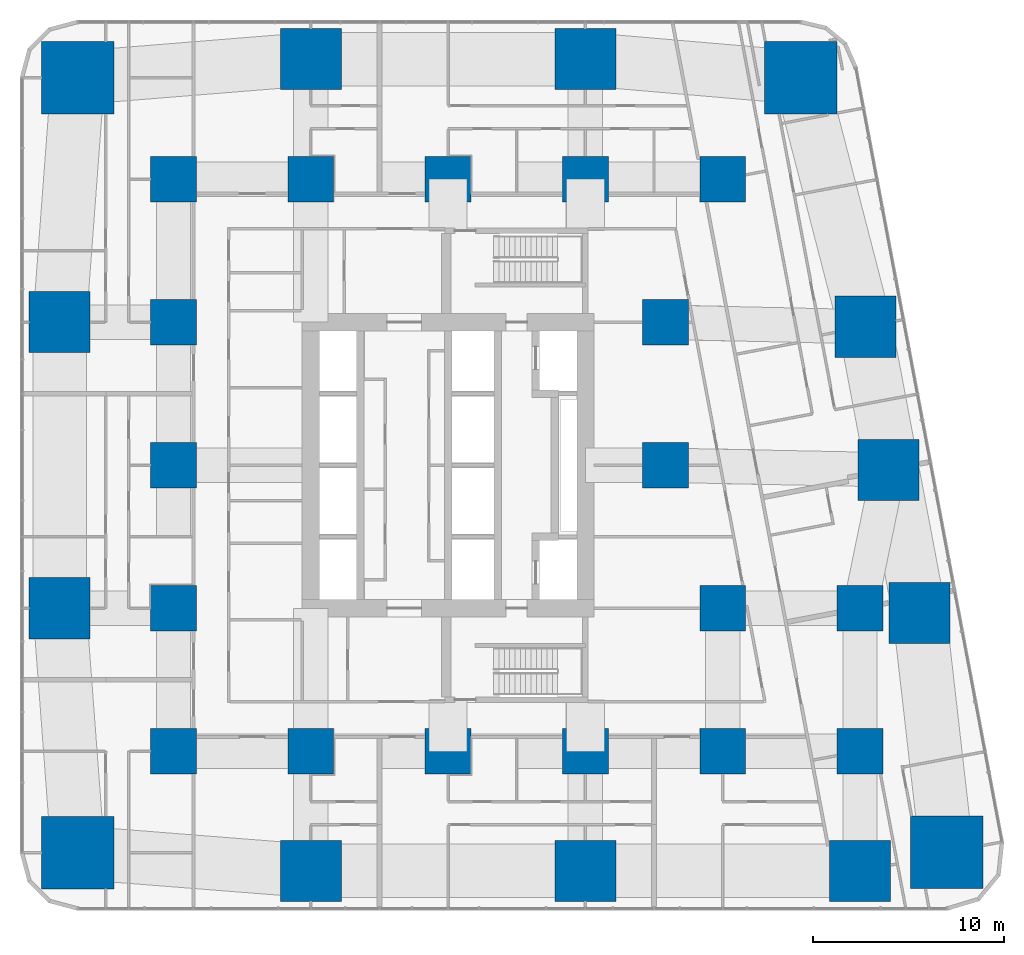
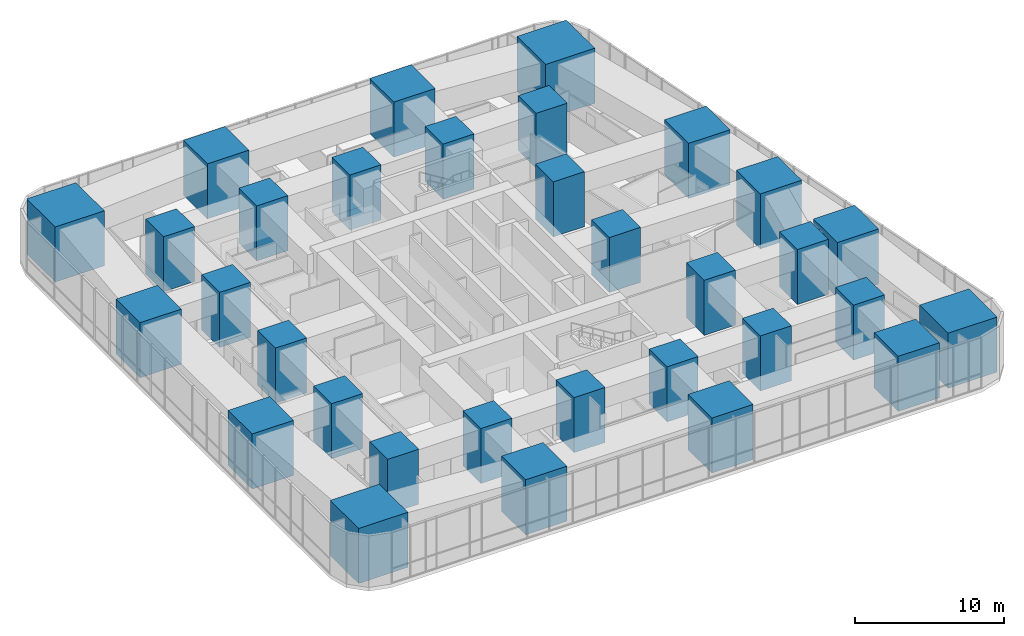
# One storey, part 1 of 22: 32 columns.
"""IFC4 building model written with IfcOpenShell, lengths in metres."""

from ifc_helpers import new_model, si_unit, direction, frame, origin, origin_2d, place, context, subcontext, project, spatial, rectangle, extrude, material, material_profile, profile_set, type_object, element, save


model = new_model("IFC4")

# Units and contexts
model_context = context("Model", 3, precision=1e-05, world=origin(), true_north=direction((0.0, 1.0)))
body_context = subcontext(model_context, "Body", "Model", "MODEL_VIEW")
ifc_project = project(units=[si_unit("LENGTHUNIT", "METRE"), si_unit("AREAUNIT", "SQUARE_METRE"), si_unit("VOLUMEUNIT", "CUBIC_METRE"), si_unit("PLANEANGLEUNIT", "RADIAN"), si_unit("MASSUNIT", "GRAM", prefix="KILO")], contexts=[model_context])

# Site, building, storey
site_placement = place(None, origin())
site = spatial("IfcSite", under=ifc_project, at=site_placement, CompositionType="ELEMENT")
building_placement = place(site_placement, origin())
building = spatial("IfcBuilding", under=site, at=building_placement, Name="Sheger Commons Tower", CompositionType="ELEMENT")
storey_placement = place(building_placement, frame((0.0, 0.0, 10.10009765625)))
storey = spatial("IfcBuildingStorey", under=building, at=storey_placement, Name="L02", CompositionType="ELEMENT", Elevation=10.10009765625)

# Columns
ifc_material_1 = material(Name="Concrete C50/60", Category="concrete")
ifc_material_profile_1 = material_profile(ifc_material_1, rectangle(XDim=2.39990234375, YDim=2.39990234375, at=origin_2d()), Name="RC 2400x2400")
ifc_profile_set_1 = profile_set([ifc_material_profile_1], Name="Concrete C50/60")
column_type_1 = type_object("IfcColumnType", Name="COLUMN RC 2400x2400", PredefinedType="COLUMN", material=ifc_profile_set_1)
for number, where, z_axis, x_axis, name in (
    (1, (7.199951171875, 7.5, 0.0), (0.0, 0.0, 1.0), (1.0, 0.0, 0.0), "Column 2/B L02"),
    (2, (14.39990234375, 7.5, 0.0), (0.0, 0.0, 1.0), (1.0, 0.0, 0.0), "Column 3/B L02"),
    (3, (21.60009765625, 7.5, 0.0), (0.0, 0.0, 1.0), (1.0, 0.0, 0.0), "Column 4/B L02"),
    (4, (28.800048828125, 7.5, 0.0), (0.0, 0.0, 1.0), (1.0, 0.0, 0.0), "Column 5/B L02"),
    (5, (36.0, 7.5, 0.0), (0.0, 0.0, 1.0), (1.0, 0.0, 0.0), "Column 6/B L02"),
    (6, (43.199951171875, 7.5, 0.0), (0.0, 0.0, 1.0), (1.0, 0.0, 0.0), "Column 7/B L02"),
    (7, (7.199951171875, 15.0, 0.0), (0.0, 0.0, 1.0), (1.0, 0.0, 0.0), "Column 2/C L02"),
    (8, (36.0, 15.0, 0.0), (0.0, 0.0, 1.0), (1.0, 0.0, 0.0), "Column 6/C L02"),
    (9, (43.199951171875, 15.0, 0.0), (0.0, 0.0, 1.0), (1.0, 0.0, 0.0), "Column 7/C L02"),
    (10, (7.199951171875, 22.5, 0.0), (0.0, 0.0, 1.0), (1.0, 0.0, 0.0), "Column 2/D L02"),
    (11, (33.0, 22.5, 0.0), (0.0, 0.0, 1.0), (1.0, 0.0, 0.0), "Column 6-3000/D L02"),
    (12, (7.199951171875, 30.0, 0.0), (0.0, 0.0, 1.0), (1.0, 0.0, 0.0), "Column 2/E L02"),
    (13, (33.0, 30.0, 0.0), (0.0, 0.0, 1.0), (1.0, 0.0, 0.0), "Column 6-3000/E L02"),
    (14, (7.199951171875, 37.5, 0.0), (0.0, 0.0, 1.0), (1.0, 0.0, 0.0), "Column 2/F L02"),
    (15, (14.39990234375, 37.5, 0.0), (0.0, 0.0, 1.0), (1.0, 0.0, 0.0), "Column 3/F L02"),
    (16, (21.60009765625, 37.5, 0.0), (0.0, 0.0, 1.0), (1.0, 0.0, 0.0), "Column 4/F L02"),
    (17, (28.800048828125, 37.5, 0.0), (0.0, 0.0, 1.0), (1.0, 0.0, 0.0), "Column 5/F L02"),
    (18, (36.0, 37.5, 0.0), (0.0, 0.0, 1.0), (1.0, 0.0, 0.0), "Column 6/F L02"),
):
    element("IfcColumn", number, at=place(storey_placement, frame(where, z_axis=z_axis, x_axis=x_axis)), inside=storey, type_object=column_type_1, Name=name, PredefinedType="COLUMN", context=body_context, shape_type="SweptSolid", body=[
        extrude(rectangle(XDim=2.39990234375, YDim=2.39990234375, at=origin_2d()), origin(), (0.0, 0.0, 1.0), 4.5),
    ])
ifc_material_2 = material(Name="Concrete C50/60", Category="concrete")
ifc_material_profile_2 = material_profile(ifc_material_2, rectangle(XDim=3.199951171875, YDim=3.199951171875, at=origin_2d()), Name="RC 3200x3200")
ifc_profile_set_2 = profile_set([ifc_material_profile_2], Name="Concrete C50/60")
column_type_2 = type_object("IfcColumnType", Name="COLUMN RC 3200x3200", PredefinedType="COLUMN", material=ifc_profile_set_2)
for number, where, z_axis, x_axis, name in (
    (19, (14.39990234375, 1.22509765625, 0.0), (0.0, 0.0, 1.0), (1.0, 0.0, 0.0), "Column 3/A L02"),
    (20, (28.800048828125, 1.22509765625, 0.0), (0.0, 0.0, 1.0), (1.0, 0.0, 0.0), "Column 5/A L02"),
    (21, (43.199951171875, 1.22509765625, 0.0), (0.0, 0.0, 1.0), (1.0, 0.0, 0.0), "Column 7/A L02"),
    (22, (1.22509765625, 15.0, 0.0), (0.0, 0.0, 1.0), (1.0, 0.0, 0.0), "Column 1/C L02"),
    (23, (46.31396484375, 14.762939453125, 0.0), (0.0, 0.0, 1.0), (1.0, 0.0, 0.0), "Column E/C L02"),
    (24, (44.697021484375, 22.262939453125, 0.0), (0.0, 0.0, 1.0), (1.0, 0.0, 0.0), "Column 7/D L02"),
    (25, (1.22509765625, 30.0, 0.0), (0.0, 0.0, 1.0), (1.0, 0.0, 0.0), "Column 1/E L02"),
    (26, (43.47998046875, 29.762939453125, 0.0), (0.0, 0.0, 1.0), (1.0, 0.0, 0.0), "Column E/E L02"),
    (27, (14.39990234375, 43.800048828125, 0.0), (0.0, 0.0, 1.0), (1.0, 0.0, 0.0), "Column 3/G L02"),
    (28, (28.800048828125, 43.800048828125, 0.0), (0.0, 0.0, 1.0), (1.0, 0.0, 0.0), "Column 5/G L02"),
):
    element("IfcColumn", number, at=place(storey_placement, frame(where, z_axis=z_axis, x_axis=x_axis)), inside=storey, type_object=column_type_2, Name=name, PredefinedType="COLUMN", context=body_context, shape_type="SweptSolid", body=[
        extrude(rectangle(XDim=3.199951171875, YDim=3.199951171875, at=origin_2d()), origin(), (0.0, 0.0, 1.0), 4.5),
    ])
ifc_material_3 = material(Name="Concrete C50/60", Category="concrete")
ifc_material_profile_3 = material_profile(ifc_material_3, rectangle(XDim=3.800048828125, YDim=3.800048828125, at=origin_2d()), Name="RC 3800x3800")
ifc_profile_set_3 = profile_set([ifc_material_profile_3], Name="Concrete C50/60")
column_type_3 = type_object("IfcColumnType", Name="COLUMN RC 3800x3800", PredefinedType="COLUMN", material=ifc_profile_set_3)
for number, where, z_axis, x_axis, name in (
    (29, (2.18603515625, 2.18603515625, 0.0), (0.0, 0.0, 1.0), (1.0, 0.0, 0.0), "Column 0.630,0.630 L02"),
    (30, (47.748046875, 2.197021484375, 0.0), (0.0, 0.0, 1.0), (1.0, 0.0, 0.0), "Column 49.461,0.778 L02"),
    (31, (2.18603515625, 42.81396484375, 0.0), (0.0, 0.0, 1.0), (1.0, 0.0, 0.0), "Column 0.630,44.370 L02"),
    (32, (40.10205078125, 42.830078125, 0.0), (0.0, 0.0, 1.0), (1.0, 0.0, 0.0), "Column 41.490,44.505 L02"),
):
    element("IfcColumn", number, at=place(storey_placement, frame(where, z_axis=z_axis, x_axis=x_axis)), inside=storey, type_object=column_type_3, Name=name, PredefinedType="COLUMN", context=body_context, shape_type="SweptSolid", body=[
        extrude(rectangle(XDim=3.800048828125, YDim=3.800048828125, at=origin_2d()), origin(), (0.0, 0.0, 1.0), 4.5),
    ])

save(model, "model.ifc")
